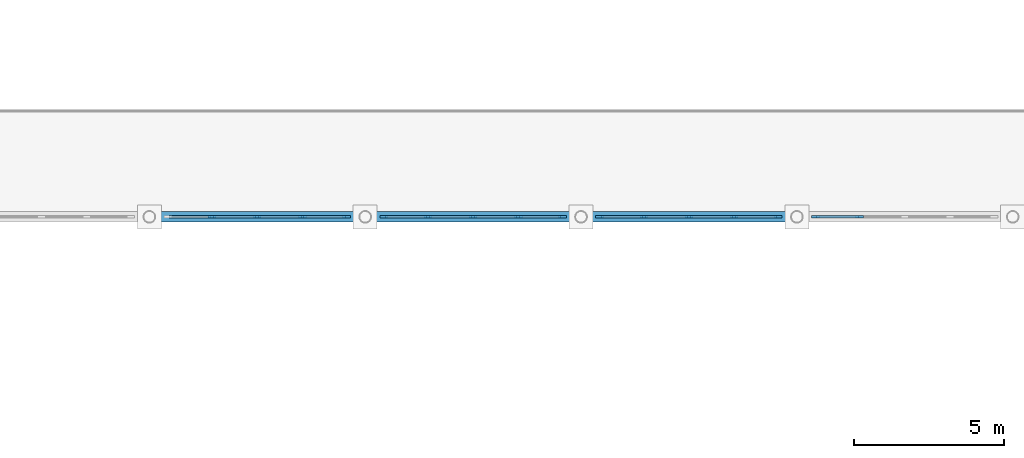
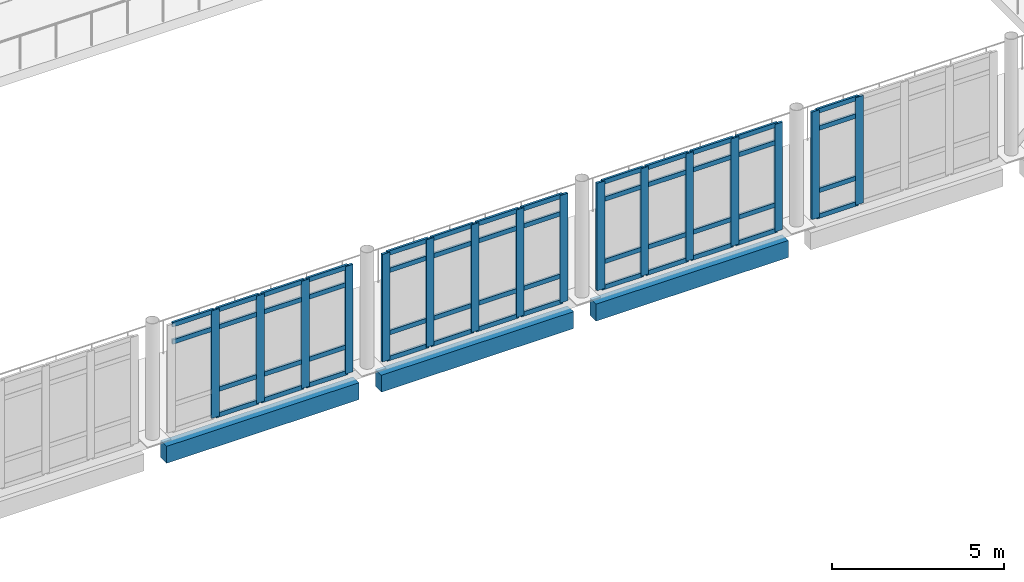
# One storey, part 17 of 62: 66 members, 3 beams, 4 elements without a shape of their own.
"""IFC4 building model written with IfcOpenShell, lengths in metres."""

import ifcopenshell
import ifcopenshell.guid

model = None  # the IFC model being written
_history = None  # IfcOwnerHistory: only IFC2X3 demands one
_inside = {}  # id of a spatial element -> (the spatial element, [elements in it])
_under = {}  # id of a project, library or spatial element -> (it, [spatial elements below it])
_declared = {}  # id of a project -> (the project, [libraries it declares])
_typed = {}  # id of a type object -> (the type object, [elements of that type])
_made_of = {}  # id of a material, layer set ... -> (it, [elements and type objects made of it])


def new_model(schema):
    """Start an empty IFC model of exactly this schema.

    Asked for "IFC4X3", IfcOpenShell would pick the latest addendum, in which some entities
    have other attributes; the version numbers below select the first issue.
    IFC2X3 requires an IfcOwnerHistory on every rooted entity: one is made here for all.
    """
    global model, _history
    if schema == "IFC4X3":
        model = ifcopenshell.file(schema_version=(4, 3, 0, 0))
    else:
        model = ifcopenshell.file(schema=schema)
    _inside.clear()
    _under.clear()
    _declared.clear()
    _typed.clear()
    _made_of.clear()
    _history = None
    if model.schema == "IFC2X3":
        org = make("IfcOrganization", Name="unknown")
        user = make(
            "IfcPersonAndOrganization",
            ThePerson=make("IfcPerson", FamilyName="unknown"),
            TheOrganization=org,
        )
        app = make(
            "IfcApplication",
            ApplicationDeveloper=org,
            Version="unknown",
            ApplicationFullName="unknown",
            ApplicationIdentifier="unknown",
        )
        _history = make(
            "IfcOwnerHistory",
            OwningUser=user,
            OwningApplication=app,
            ChangeAction="ADDED",
            CreationDate=0,
        )
    return model


def make(cls, **values):
    """One entity of the class cls with the attributes given. An attribute that is None is left unset."""
    return model.create_entity(
        cls, **{name: value for name, value in values.items() if value is not None}
    )


def rooted(cls, **values):
    """An entity with a GlobalId (a new one), such as an element, a storey or a relation."""
    return make(cls, GlobalId=ifcopenshell.guid.new(), OwnerHistory=_history, **values)


def si_unit(unit_type, name, prefix=None):
    """IfcSIUnit, for example si_unit("LENGTHUNIT", "METRE", prefix="MILLI")."""
    return make("IfcSIUnit", UnitType=unit_type, Prefix=prefix, Name=name)


def assignment(units):
    """IfcUnitAssignment: the units of a project."""
    return None if units is None else make("IfcUnitAssignment", Units=units)


def point(xyz):
    """IfcCartesianPoint."""
    return None if xyz is None else make("IfcCartesianPoint", Coordinates=xyz)


def direction(xyz):
    """IfcDirection."""
    return None if xyz is None else make("IfcDirection", DirectionRatios=xyz)


def frame(location, z_axis=None, x_axis=None):
    """IfcAxis2Placement3D, a coordinate frame: its origin and axes. An axis left out is left unset."""
    return make(
        "IfcAxis2Placement3D",
        Location=point(location),
        Axis=direction(z_axis),
        RefDirection=direction(x_axis),
    )


def frame_2d(location, x_axis=None):
    """IfcAxis2Placement2D, a coordinate frame in the plane: its origin and x axis."""
    return make(
        "IfcAxis2Placement2D", Location=point(location), RefDirection=direction(x_axis)
    )


def origin():
    """The frame at (0, 0, 0) with its axes left unset."""
    return frame((0.0, 0.0, 0.0))


def origin_2d():
    """The frame at (0, 0) in the plane with its x axis left unset."""
    return frame_2d((0.0, 0.0))


def place(relative_to, where):
    """IfcLocalPlacement: puts the frame where relative to a parent placement (None: the world)."""
    return make(
        "IfcLocalPlacement", PlacementRelTo=relative_to, RelativePlacement=where
    )


def context(
    kind, dimensions, precision=None, world=None, true_north=None, identifier=None
):
    """IfcGeometricRepresentationContext, for example the 3D "Model" context."""
    return make(
        "IfcGeometricRepresentationContext",
        ContextIdentifier=identifier,
        ContextType=kind,
        CoordinateSpaceDimension=dimensions,
        Precision=precision,
        WorldCoordinateSystem=world,
        TrueNorth=true_north,
    )


def subcontext(parent, identifier, kind, view, scale=None):
    """IfcGeometricRepresentationSubContext, for example "Body" below "Model"."""
    return make(
        "IfcGeometricRepresentationSubContext",
        ContextIdentifier=identifier,
        ContextType=kind,
        ParentContext=parent,
        TargetScale=scale,
        TargetView=view,
    )


def project(units=None, contexts=None):
    """IfcProject with its units and contexts."""
    return rooted(
        "IfcProject",
        Name="project",
        RepresentationContexts=contexts,
        UnitsInContext=assignment(units),
    )


def spatial(cls, under=None, at=None, **own):
    """A site, building, storey or space (cls), placed at a placement, below another one or the project."""
    s = rooted(cls, ObjectPlacement=at, **own)
    if under is not None:
        _under.setdefault(under.id(), (under, []))[1].append(s)
    return s


def profile(cls, at=None, kind="AREA", **sizes):
    """A parametric profile (cls). Its sizes go by their IFC names, for example OverallWidth=200.0."""
    return make(cls, ProfileType=kind, Position=at, **sizes)


def rectangle(**sizes):
    """IfcRectangleProfileDef."""
    return profile("IfcRectangleProfileDef", **sizes)


def extrude(swept, where, along, depth):
    """IfcExtrudedAreaSolid: the profile swept, set in the frame where, extruded along a direction by depth."""
    return make(
        "IfcExtrudedAreaSolid",
        SweptArea=swept,
        Position=where,
        ExtrudedDirection=direction(along),
        Depth=depth,
    )


def shape(context_of_items, identifier, shape_type, items):
    """IfcShapeRepresentation: the items that make up one representation, for example the "Body"."""
    return make(
        "IfcShapeRepresentation",
        ContextOfItems=context_of_items,
        RepresentationIdentifier=identifier,
        RepresentationType=shape_type,
        Items=items,
    )


def material(Name=None, Category=None):
    """IfcMaterial."""
    return make("IfcMaterial", Name=Name, Category=Category)


def layer(
    of_material, thickness, ventilated=None, Name=None, Category=None, Priority=None
):
    """IfcMaterialLayer: one layer of a wall or slab, of a material (None: an air gap)."""
    return make(
        "IfcMaterialLayer",
        Material=of_material,
        LayerThickness=thickness,
        IsVentilated=ventilated,
        Name=Name,
        Category=Category,
        Priority=Priority,
    )


def layer_set(layers, Name=None):
    """IfcMaterialLayerSet."""
    return make("IfcMaterialLayerSet", MaterialLayers=layers, LayerSetName=Name)


def material_profile(
    of_material, cross_section, Name=None, Category=None, Priority=None
):
    """IfcMaterialProfile: a cross section and its material."""
    return make(
        "IfcMaterialProfile",
        Name=Name,
        Material=of_material,
        Profile=cross_section,
        Priority=Priority,
        Category=Category,
    )


def profile_set(profiles, Name=None, composite=None):
    """IfcMaterialProfileSet."""
    return make(
        "IfcMaterialProfileSet",
        Name=Name,
        MaterialProfiles=profiles,
        CompositeProfile=composite,
    )


def made_of(thing, what):
    """Note that an element or type object is made of a material, layer set ...; save() writes the relation."""
    if what is not None:
        _made_of.setdefault(what.id(), (what, []))[1].append(thing)
    return thing


def type_object(cls, material=None, **own):
    """A type object (cls), such as IfcWallType, which elements share."""
    return made_of(rooted(cls, **own), material)


def element(
    cls,
    number,
    at=None,
    inside=None,
    cuts=None,
    type_object=None,
    material=None,
    context=None,
    identifier="Body",
    shape_type=None,
    held_by="IfcProductDefinitionShape",
    body=None,
    shapes=None,
    **own,
):
    """One element of the class cls, such as IfcWall. Its Tag is "e" and its number.

    at: its placement. inside: the storey or other place that contains it. cuts: it is an
    opening in that element (IfcRelVoidsElement). A single representation is given by context,
    identifier, shape_type and body (its items); several are given by shapes. held_by: the class
    of the entity that holds the representations. save() writes the other relations.
    """
    e = rooted(cls, Tag="e%d" % number, ObjectPlacement=at, **own)
    if body is not None:
        shapes = [shape(context, identifier, shape_type, body)]
    if shapes is not None:
        e.Representation = make(held_by, Representations=shapes)
    if inside is not None:
        _inside.setdefault(inside.id(), (inside, []))[1].append(e)
    if cuts is not None:
        rooted(
            "IfcRelVoidsElement", RelatingBuildingElement=cuts, RelatedOpeningElement=e
        )
    if type_object is not None:
        _typed.setdefault(type_object.id(), (type_object, []))[1].append(e)
    return made_of(e, material)


def aggregate(whole, parts):
    """IfcRelAggregates: a whole, such as a stair, and the parts it consists of."""
    return rooted("IfcRelAggregates", RelatingObject=whole, RelatedObjects=parts)


def save(model, path):
    """Write the relations noted so far, then the file.

    IfcRelAggregates (storeys below a building ...), IfcRelContainedInSpatialStructure (elements
    in a storey), IfcRelDefinesByType, IfcRelAssociatesMaterial and IfcRelDeclares: one each for
    every whole, place, type object, material and project.
    """
    for whole, parts in _under.values():
        aggregate(whole, parts)
    for where, things in _inside.values():
        rooted(
            "IfcRelContainedInSpatialStructure",
            RelatedElements=things,
            RelatingStructure=where,
        )
    for kind, things in _typed.values():
        rooted("IfcRelDefinesByType", RelatedObjects=things, RelatingType=kind)
    for what, things in _made_of.values():
        rooted("IfcRelAssociatesMaterial", RelatedObjects=things, RelatingMaterial=what)
    for by, libraries in _declared.values():
        rooted("IfcRelDeclares", RelatingContext=by, RelatedDefinitions=libraries)
    model.write(path)


model = new_model("IFC4")

# Units and contexts
model_context = context("Model", 3, precision=1e-05, world=origin(), true_north=direction((0.0, 1.0)))
body_context = subcontext(model_context, "Body", "Model", "MODEL_VIEW")
ifc_project = project(units=[si_unit("LENGTHUNIT", "METRE"), si_unit("AREAUNIT", "SQUARE_METRE"), si_unit("VOLUMEUNIT", "CUBIC_METRE"), si_unit("PLANEANGLEUNIT", "RADIAN"), si_unit("MASSUNIT", "GRAM", prefix="KILO")], contexts=[model_context])

# Site, building, storey
site_placement = place(None, origin())
site = spatial("IfcSite", under=ifc_project, at=site_placement, CompositionType="ELEMENT")
building_placement = place(site_placement, origin())
building = spatial("IfcBuilding", under=site, at=building_placement, Name="Valkovuoma Quantum and Materials Research Institute", CompositionType="ELEMENT")
storey_placement = place(building_placement, frame((0.0, 0.0, 8.9599609375)))
storey = spatial("IfcBuildingStorey", under=building, at=storey_placement, Name="L02", CompositionType="ELEMENT", Elevation=8.9599609375)

# Beams
ifc_material_1 = material(Name="Concrete C40/50", Category="concrete")
ifc_material_profile_1 = material_profile(ifc_material_1, rectangle(XDim=0.35009765625, YDim=0.60009765625, at=origin_2d()), Name="Concrete C40/50")
ifc_profile_set_1 = profile_set([ifc_material_profile_1], Name="Concrete C40/50")
beam_type = type_object("IfcBeamType", Name="Beam-B-SPN600", PredefinedType="SPANDREL", material=ifc_profile_set_1)
for number, where, z_axis, x_axis, name in (
    (1, (65.175048828125, 36.0, -0.64990234375), (1.0, 0.0, 0.0), (0.0, 1.0, 0.0), "L02 beam X-1008"),
    (2, (72.375, 36.0, -0.64990234375), (1.0, 0.0, 0.0), (0.0, 1.0, 0.0), "L02 beam X-1009"),
    (3, (79.574951171875, 36.0, -0.64990234375), (1.0, 0.0, 0.0), (0.0, 1.0, 0.0), "L02 beam X-1010"),
):
    element("IfcBeam", number, at=place(storey_placement, frame(where, z_axis=z_axis, x_axis=x_axis)), inside=storey, type_object=beam_type, Name=name, PredefinedType="SPANDREL", context=body_context, shape_type="SweptSolid", body=[
        extrude(rectangle(XDim=0.35009765625, YDim=0.60009765625, at=origin_2d()), origin(), (0.0, 0.0, 1.0), 6.449951171875),
    ])

# Curtain wall, members
ifc_material_2 = material(Name="Thermally broken aluminium and triple low-E glazing", Category="aluminium")
ifc_layer = layer(ifc_material_2, 0.219970703125)
ifc_layer_set = layer_set([ifc_layer], Name="Thermally broken aluminium and triple low-E glazing")
curtain_wall_type = type_object("IfcCurtainWallType", Name="CW-CW-02", PredefinedType="NOTDEFINED", material=ifc_layer_set)
curtain_wall_1_placement = place(storey_placement, origin())
curtain_wall_1 = element("IfcCurtainWall", 4, at=curtain_wall_1_placement, inside=storey, type_object=curtain_wall_type, Name="L02 curtain wall 186", PredefinedType="NOTDEFINED")
ifc_material_3 = material(Name="Anodised aluminium 6060-T66", Category="aluminium")
ifc_material_profile_2 = material_profile(ifc_material_3, rectangle(XDim=0.080078125, YDim=0.260009765625, at=origin_2d()), Name="Anodised aluminium 6060-T66")
ifc_profile_set_2 = profile_set([ifc_material_profile_2], Name="Anodised aluminium 6060-T66")
member_type_1 = type_object("IfcMemberType", Name="CWMull-CWM-03", PredefinedType="MULLION", material=ifc_profile_set_2)
member_1_placement = place(storey_placement, frame((66.889892578125, 36.0, 0.0), z_axis=(0.0, 0.0, 1.0), x_axis=(0.0, 1.0, 0.0)))
member_1 = element("IfcMember", 5, at=member_1_placement, type_object=member_type_1, Name="CW-02 mullion 2", PredefinedType="MULLION", context=body_context, shape_type="SweptSolid", body=[
    extrude(rectangle(XDim=0.080078125, YDim=0.260009765625, at=origin_2d()), origin(), (0.0, 0.0, 1.0), 3.81005859375),
])
member_2_placement = place(storey_placement, frame((68.39990234375, 36.0, 0.0), z_axis=(0.0, 0.0, 1.0), x_axis=(0.0, 1.0, 0.0)))
member_2 = element("IfcMember", 6, at=member_2_placement, type_object=member_type_1, Name="CW-02 mullion 3", PredefinedType="MULLION", context=body_context, shape_type="SweptSolid", body=[
    extrude(rectangle(XDim=0.080078125, YDim=0.260009765625, at=origin_2d()), origin(), (0.0, 0.0, 1.0), 3.81005859375),
])
member_3_placement = place(storey_placement, frame((69.909912109375, 36.0, 0.0), z_axis=(0.0, 0.0, 1.0), x_axis=(0.0, 1.0, 0.0)))
member_3 = element("IfcMember", 7, at=member_3_placement, type_object=member_type_1, Name="CW-02 mullion 4", PredefinedType="MULLION", context=body_context, shape_type="SweptSolid", body=[
    extrude(rectangle(XDim=0.080078125, YDim=0.260009765625, at=origin_2d()), origin(), (0.0, 0.0, 1.0), 3.81005859375),
])
member_4_placement = place(storey_placement, frame((71.3798828125, 36.0, 0.0), z_axis=(0.0, 0.0, 1.0), x_axis=(0.0, 1.0, 0.0)))
member_4 = element("IfcMember", 8, at=member_4_placement, type_object=member_type_1, Name="CW-02 mullion 5", PredefinedType="MULLION", context=body_context, shape_type="SweptSolid", body=[
    extrude(rectangle(XDim=0.080078125, YDim=0.260009765625, at=origin_2d()), origin(), (0.0, 0.0, 1.0), 3.81005859375),
])

curtain_wall_2_placement = place(storey_placement, origin())
curtain_wall_2 = element("IfcCurtainWall", 9, at=curtain_wall_2_placement, inside=storey, type_object=curtain_wall_type, Name="L02 curtain wall 187", PredefinedType="NOTDEFINED")
member_5_placement = place(storey_placement, frame((72.6201171875, 36.0, 0.0), z_axis=(0.0, 0.0, 1.0), x_axis=(0.0, 1.0, 0.0)))
member_5 = element("IfcMember", 10, at=member_5_placement, type_object=member_type_1, Name="CW-02 mullion 1", PredefinedType="MULLION", context=body_context, shape_type="SweptSolid", body=[
    extrude(rectangle(XDim=0.080078125, YDim=0.260009765625, at=origin_2d()), origin(), (0.0, 0.0, 1.0), 3.81005859375),
])
member_6_placement = place(storey_placement, frame((74.090087890625, 36.0, 0.0), z_axis=(0.0, 0.0, 1.0), x_axis=(0.0, 1.0, 0.0)))
member_6 = element("IfcMember", 11, at=member_6_placement, type_object=member_type_1, Name="CW-02 mullion 2", PredefinedType="MULLION", context=body_context, shape_type="SweptSolid", body=[
    extrude(rectangle(XDim=0.080078125, YDim=0.260009765625, at=origin_2d()), origin(), (0.0, 0.0, 1.0), 3.81005859375),
])
member_7_placement = place(storey_placement, frame((75.60009765625, 36.0, 0.0), z_axis=(0.0, 0.0, 1.0), x_axis=(0.0, 1.0, 0.0)))
member_7 = element("IfcMember", 12, at=member_7_placement, type_object=member_type_1, Name="CW-02 mullion 3", PredefinedType="MULLION", context=body_context, shape_type="SweptSolid", body=[
    extrude(rectangle(XDim=0.080078125, YDim=0.260009765625, at=origin_2d()), origin(), (0.0, 0.0, 1.0), 3.81005859375),
])
member_8_placement = place(storey_placement, frame((77.110107421875, 36.0, 0.0), z_axis=(0.0, 0.0, 1.0), x_axis=(0.0, 1.0, 0.0)))
member_8 = element("IfcMember", 13, at=member_8_placement, type_object=member_type_1, Name="CW-02 mullion 4", PredefinedType="MULLION", context=body_context, shape_type="SweptSolid", body=[
    extrude(rectangle(XDim=0.080078125, YDim=0.260009765625, at=origin_2d()), origin(), (0.0, 0.0, 1.0), 3.81005859375),
])
member_9_placement = place(storey_placement, frame((78.580078125, 36.0, 0.0), z_axis=(0.0, 0.0, 1.0), x_axis=(0.0, 1.0, 0.0)))
member_9 = element("IfcMember", 14, at=member_9_placement, type_object=member_type_1, Name="CW-02 mullion 5", PredefinedType="MULLION", context=body_context, shape_type="SweptSolid", body=[
    extrude(rectangle(XDim=0.080078125, YDim=0.260009765625, at=origin_2d()), origin(), (0.0, 0.0, 1.0), 3.81005859375),
])

curtain_wall_3_placement = place(storey_placement, origin())
curtain_wall_3 = element("IfcCurtainWall", 15, at=curtain_wall_3_placement, inside=storey, type_object=curtain_wall_type, Name="L02 curtain wall 188", PredefinedType="NOTDEFINED")
member_10_placement = place(storey_placement, frame((79.820068359375, 36.0, 0.0), z_axis=(0.0, 0.0, 1.0), x_axis=(0.0, 1.0, 0.0)))
member_10 = element("IfcMember", 16, at=member_10_placement, type_object=member_type_1, Name="CW-02 mullion 1", PredefinedType="MULLION", context=body_context, shape_type="SweptSolid", body=[
    extrude(rectangle(XDim=0.080078125, YDim=0.260009765625, at=origin_2d()), origin(), (0.0, 0.0, 1.0), 3.81005859375),
])
member_11_placement = place(storey_placement, frame((81.2900390625, 36.0, 0.0), z_axis=(0.0, 0.0, 1.0), x_axis=(0.0, 1.0, 0.0)))
member_11 = element("IfcMember", 17, at=member_11_placement, type_object=member_type_1, Name="CW-02 mullion 2", PredefinedType="MULLION", context=body_context, shape_type="SweptSolid", body=[
    extrude(rectangle(XDim=0.080078125, YDim=0.260009765625, at=origin_2d()), origin(), (0.0, 0.0, 1.0), 3.81005859375),
])
member_12_placement = place(storey_placement, frame((82.800048828125, 36.0, 0.0), z_axis=(0.0, 0.0, 1.0), x_axis=(0.0, 1.0, 0.0)))
member_12 = element("IfcMember", 18, at=member_12_placement, type_object=member_type_1, Name="CW-02 mullion 3", PredefinedType="MULLION", context=body_context, shape_type="SweptSolid", body=[
    extrude(rectangle(XDim=0.080078125, YDim=0.260009765625, at=origin_2d()), origin(), (0.0, 0.0, 1.0), 3.81005859375),
])
member_13_placement = place(storey_placement, frame((84.31005859375, 36.0, 0.0), z_axis=(0.0, 0.0, 1.0), x_axis=(0.0, 1.0, 0.0)))
member_13 = element("IfcMember", 19, at=member_13_placement, type_object=member_type_1, Name="CW-02 mullion 4", PredefinedType="MULLION", context=body_context, shape_type="SweptSolid", body=[
    extrude(rectangle(XDim=0.080078125, YDim=0.260009765625, at=origin_2d()), origin(), (0.0, 0.0, 1.0), 3.81005859375),
])
member_14_placement = place(storey_placement, frame((85.780029296875, 36.0, 0.0), z_axis=(0.0, 0.0, 1.0), x_axis=(0.0, 1.0, 0.0)))
member_14 = element("IfcMember", 20, at=member_14_placement, type_object=member_type_1, Name="CW-02 mullion 5", PredefinedType="MULLION", context=body_context, shape_type="SweptSolid", body=[
    extrude(rectangle(XDim=0.080078125, YDim=0.260009765625, at=origin_2d()), origin(), (0.0, 0.0, 1.0), 3.81005859375),
])

curtain_wall_4_placement = place(storey_placement, origin())
curtain_wall_4 = element("IfcCurtainWall", 21, at=curtain_wall_4_placement, inside=storey, type_object=curtain_wall_type, Name="L02 curtain wall 189", PredefinedType="NOTDEFINED")
member_15_placement = place(storey_placement, frame((87.02001953125, 36.0, 0.0), z_axis=(0.0, 0.0, 1.0), x_axis=(0.0, 1.0, 0.0)))
member_15 = element("IfcMember", 22, at=member_15_placement, type_object=member_type_1, Name="CW-02 mullion 1", PredefinedType="MULLION", context=body_context, shape_type="SweptSolid", body=[
    extrude(rectangle(XDim=0.080078125, YDim=0.260009765625, at=origin_2d()), origin(), (0.0, 0.0, 1.0), 3.81005859375),
])
member_16_placement = place(storey_placement, frame((88.489990234375, 36.0, 0.0), z_axis=(0.0, 0.0, 1.0), x_axis=(0.0, 1.0, 0.0)))
member_16 = element("IfcMember", 23, at=member_16_placement, type_object=member_type_1, Name="CW-02 mullion 2", PredefinedType="MULLION", context=body_context, shape_type="SweptSolid", body=[
    extrude(rectangle(XDim=0.080078125, YDim=0.260009765625, at=origin_2d()), origin(), (0.0, 0.0, 1.0), 3.81005859375),
])

# Member
ifc_material_4 = material(Name="Anodised aluminium 6060-T66", Category="aluminium")
ifc_material_profile_3 = material_profile(ifc_material_4, rectangle(XDim=0.074951171875, YDim=0.159912109375, at=origin_2d()), Name="Anodised aluminium 6060-T66")
ifc_profile_set_3 = profile_set([ifc_material_profile_3], Name="Anodised aluminium 6060-T66")
member_type_2 = type_object("IfcMemberType", Name="CWTran-CWT-02", PredefinedType="USERDEFINED", material=ifc_profile_set_3)
member_17_placement = place(storey_placement, frame((65.4599609375, 36.0, 3.16015625), z_axis=(1.0, 0.0, 0.0), x_axis=(0.0, 1.0, 0.0)))
member_17 = element("IfcMember", 24, at=member_17_placement, type_object=member_type_2, Name="CW-02 transom 1.3", ObjectType="TRANSOM", PredefinedType="USERDEFINED", context=body_context, shape_type="SweptSolid", body=[
    extrude(rectangle(XDim=0.074951171875, YDim=0.159912109375, at=origin_2d()), origin(), (0.0, 0.0, 1.0), 1.39013671875),
])

member_18_placement = place(storey_placement, frame((65.4599609375, 36.0, 3.7724609375), z_axis=(1.0, 0.0, 0.0), x_axis=(0.0, 1.0, 0.0)))
member_18 = element("IfcMember", 25, at=member_18_placement, type_object=member_type_2, Name="CW-02 transom 1.4", ObjectType="TRANSOM", PredefinedType="USERDEFINED", context=body_context, shape_type="SweptSolid", body=[
    extrude(rectangle(XDim=0.074951171875, YDim=0.159912109375, at=origin_2d()), origin(), (0.0, 0.0, 1.0), 1.39013671875),
])

member_19_placement = place(storey_placement, frame((66.929931640625, 36.0, 0.03759765625), z_axis=(1.0, 0.0, 0.0), x_axis=(0.0, 1.0, 0.0)))
member_19 = element("IfcMember", 26, at=member_19_placement, type_object=member_type_2, Name="CW-02 transom 2.1", ObjectType="TRANSOM", PredefinedType="USERDEFINED", context=body_context, shape_type="SweptSolid", body=[
    extrude(rectangle(XDim=0.074951171875, YDim=0.159912109375, at=origin_2d()), origin(), (0.0, 0.0, 1.0), 1.43017578125),
])

member_20_placement = place(storey_placement, frame((66.929931640625, 36.0, 0.949951171875), z_axis=(1.0, 0.0, 0.0), x_axis=(0.0, 1.0, 0.0)))
member_20 = element("IfcMember", 27, at=member_20_placement, type_object=member_type_2, Name="CW-02 transom 2.2", ObjectType="TRANSOM", PredefinedType="USERDEFINED", context=body_context, shape_type="SweptSolid", body=[
    extrude(rectangle(XDim=0.074951171875, YDim=0.159912109375, at=origin_2d()), origin(), (0.0, 0.0, 1.0), 1.43017578125),
])

member_21_placement = place(storey_placement, frame((66.929931640625, 36.0, 3.16015625), z_axis=(1.0, 0.0, 0.0), x_axis=(0.0, 1.0, 0.0)))
member_21 = element("IfcMember", 28, at=member_21_placement, type_object=member_type_2, Name="CW-02 transom 2.3", ObjectType="TRANSOM", PredefinedType="USERDEFINED", context=body_context, shape_type="SweptSolid", body=[
    extrude(rectangle(XDim=0.074951171875, YDim=0.159912109375, at=origin_2d()), origin(), (0.0, 0.0, 1.0), 1.43017578125),
])

member_22_placement = place(storey_placement, frame((66.929931640625, 36.0, 3.7724609375), z_axis=(1.0, 0.0, 0.0), x_axis=(0.0, 1.0, 0.0)))
member_22 = element("IfcMember", 29, at=member_22_placement, type_object=member_type_2, Name="CW-02 transom 2.4", ObjectType="TRANSOM", PredefinedType="USERDEFINED", context=body_context, shape_type="SweptSolid", body=[
    extrude(rectangle(XDim=0.074951171875, YDim=0.159912109375, at=origin_2d()), origin(), (0.0, 0.0, 1.0), 1.43017578125),
])

member_23_placement = place(storey_placement, frame((68.43994140625, 36.0, 0.03759765625), z_axis=(1.0, 0.0, 0.0), x_axis=(0.0, 1.0, 0.0)))
member_23 = element("IfcMember", 30, at=member_23_placement, type_object=member_type_2, Name="CW-02 transom 3.1", ObjectType="TRANSOM", PredefinedType="USERDEFINED", context=body_context, shape_type="SweptSolid", body=[
    extrude(rectangle(XDim=0.074951171875, YDim=0.159912109375, at=origin_2d()), origin(), (0.0, 0.0, 1.0), 1.43017578125),
])

member_24_placement = place(storey_placement, frame((68.43994140625, 36.0, 0.949951171875), z_axis=(1.0, 0.0, 0.0), x_axis=(0.0, 1.0, 0.0)))
member_24 = element("IfcMember", 31, at=member_24_placement, type_object=member_type_2, Name="CW-02 transom 3.2", ObjectType="TRANSOM", PredefinedType="USERDEFINED", context=body_context, shape_type="SweptSolid", body=[
    extrude(rectangle(XDim=0.074951171875, YDim=0.159912109375, at=origin_2d()), origin(), (0.0, 0.0, 1.0), 1.43017578125),
])

member_25_placement = place(storey_placement, frame((68.43994140625, 36.0, 3.16015625), z_axis=(1.0, 0.0, 0.0), x_axis=(0.0, 1.0, 0.0)))
member_25 = element("IfcMember", 32, at=member_25_placement, type_object=member_type_2, Name="CW-02 transom 3.3", ObjectType="TRANSOM", PredefinedType="USERDEFINED", context=body_context, shape_type="SweptSolid", body=[
    extrude(rectangle(XDim=0.074951171875, YDim=0.159912109375, at=origin_2d()), origin(), (0.0, 0.0, 1.0), 1.43017578125),
])

member_26_placement = place(storey_placement, frame((68.43994140625, 36.0, 3.7724609375), z_axis=(1.0, 0.0, 0.0), x_axis=(0.0, 1.0, 0.0)))
member_26 = element("IfcMember", 33, at=member_26_placement, type_object=member_type_2, Name="CW-02 transom 3.4", ObjectType="TRANSOM", PredefinedType="USERDEFINED", context=body_context, shape_type="SweptSolid", body=[
    extrude(rectangle(XDim=0.074951171875, YDim=0.159912109375, at=origin_2d()), origin(), (0.0, 0.0, 1.0), 1.43017578125),
])

member_27_placement = place(storey_placement, frame((69.949951171875, 36.0, 0.03759765625), z_axis=(1.0, 0.0, 0.0), x_axis=(0.0, 1.0, 0.0)))
member_27 = element("IfcMember", 34, at=member_27_placement, type_object=member_type_2, Name="CW-02 transom 4.1", ObjectType="TRANSOM", PredefinedType="USERDEFINED", context=body_context, shape_type="SweptSolid", body=[
    extrude(rectangle(XDim=0.074951171875, YDim=0.159912109375, at=origin_2d()), origin(), (0.0, 0.0, 1.0), 1.39013671875),
])

member_28_placement = place(storey_placement, frame((69.949951171875, 36.0, 0.949951171875), z_axis=(1.0, 0.0, 0.0), x_axis=(0.0, 1.0, 0.0)))
member_28 = element("IfcMember", 35, at=member_28_placement, type_object=member_type_2, Name="CW-02 transom 4.2", ObjectType="TRANSOM", PredefinedType="USERDEFINED", context=body_context, shape_type="SweptSolid", body=[
    extrude(rectangle(XDim=0.074951171875, YDim=0.159912109375, at=origin_2d()), origin(), (0.0, 0.0, 1.0), 1.39013671875),
])

member_29_placement = place(storey_placement, frame((69.949951171875, 36.0, 3.16015625), z_axis=(1.0, 0.0, 0.0), x_axis=(0.0, 1.0, 0.0)))
member_29 = element("IfcMember", 36, at=member_29_placement, type_object=member_type_2, Name="CW-02 transom 4.3", ObjectType="TRANSOM", PredefinedType="USERDEFINED", context=body_context, shape_type="SweptSolid", body=[
    extrude(rectangle(XDim=0.074951171875, YDim=0.159912109375, at=origin_2d()), origin(), (0.0, 0.0, 1.0), 1.39013671875),
])

member_30_placement = place(storey_placement, frame((69.949951171875, 36.0, 3.7724609375), z_axis=(1.0, 0.0, 0.0), x_axis=(0.0, 1.0, 0.0)))
member_30 = element("IfcMember", 37, at=member_30_placement, type_object=member_type_2, Name="CW-02 transom 4.4", ObjectType="TRANSOM", PredefinedType="USERDEFINED", context=body_context, shape_type="SweptSolid", body=[
    extrude(rectangle(XDim=0.074951171875, YDim=0.159912109375, at=origin_2d()), origin(), (0.0, 0.0, 1.0), 1.39013671875),
])

aggregate(curtain_wall_1, [member_1, member_2, member_3, member_4, member_17, member_18, member_19, member_20, member_21, member_22, member_23, member_24, member_25, member_26, member_27, member_28, member_29, member_30])

member_31_placement = place(storey_placement, frame((72.659912109375, 36.0, 0.03759765625), z_axis=(1.0, 0.0, 0.0), x_axis=(0.0, 1.0, 0.0)))
member_31 = element("IfcMember", 38, at=member_31_placement, type_object=member_type_2, Name="CW-02 transom 1.1", ObjectType="TRANSOM", PredefinedType="USERDEFINED", context=body_context, shape_type="SweptSolid", body=[
    extrude(rectangle(XDim=0.074951171875, YDim=0.159912109375, at=origin_2d()), origin(), (0.0, 0.0, 1.0), 1.39013671875),
])

member_32_placement = place(storey_placement, frame((72.659912109375, 36.0, 0.949951171875), z_axis=(1.0, 0.0, 0.0), x_axis=(0.0, 1.0, 0.0)))
member_32 = element("IfcMember", 39, at=member_32_placement, type_object=member_type_2, Name="CW-02 transom 1.2", ObjectType="TRANSOM", PredefinedType="USERDEFINED", context=body_context, shape_type="SweptSolid", body=[
    extrude(rectangle(XDim=0.074951171875, YDim=0.159912109375, at=origin_2d()), origin(), (0.0, 0.0, 1.0), 1.39013671875),
])

member_33_placement = place(storey_placement, frame((72.659912109375, 36.0, 3.16015625), z_axis=(1.0, 0.0, 0.0), x_axis=(0.0, 1.0, 0.0)))
member_33 = element("IfcMember", 40, at=member_33_placement, type_object=member_type_2, Name="CW-02 transom 1.3", ObjectType="TRANSOM", PredefinedType="USERDEFINED", context=body_context, shape_type="SweptSolid", body=[
    extrude(rectangle(XDim=0.074951171875, YDim=0.159912109375, at=origin_2d()), origin(), (0.0, 0.0, 1.0), 1.39013671875),
])

member_34_placement = place(storey_placement, frame((72.659912109375, 36.0, 3.7724609375), z_axis=(1.0, 0.0, 0.0), x_axis=(0.0, 1.0, 0.0)))
member_34 = element("IfcMember", 41, at=member_34_placement, type_object=member_type_2, Name="CW-02 transom 1.4", ObjectType="TRANSOM", PredefinedType="USERDEFINED", context=body_context, shape_type="SweptSolid", body=[
    extrude(rectangle(XDim=0.074951171875, YDim=0.159912109375, at=origin_2d()), origin(), (0.0, 0.0, 1.0), 1.39013671875),
])

member_35_placement = place(storey_placement, frame((74.1298828125, 36.0, 0.03759765625), z_axis=(1.0, 0.0, 0.0), x_axis=(0.0, 1.0, 0.0)))
member_35 = element("IfcMember", 42, at=member_35_placement, type_object=member_type_2, Name="CW-02 transom 2.1", ObjectType="TRANSOM", PredefinedType="USERDEFINED", context=body_context, shape_type="SweptSolid", body=[
    extrude(rectangle(XDim=0.074951171875, YDim=0.159912109375, at=origin_2d()), origin(), (0.0, 0.0, 1.0), 1.43017578125),
])

member_36_placement = place(storey_placement, frame((74.1298828125, 36.0, 0.949951171875), z_axis=(1.0, 0.0, 0.0), x_axis=(0.0, 1.0, 0.0)))
member_36 = element("IfcMember", 43, at=member_36_placement, type_object=member_type_2, Name="CW-02 transom 2.2", ObjectType="TRANSOM", PredefinedType="USERDEFINED", context=body_context, shape_type="SweptSolid", body=[
    extrude(rectangle(XDim=0.074951171875, YDim=0.159912109375, at=origin_2d()), origin(), (0.0, 0.0, 1.0), 1.43017578125),
])

member_37_placement = place(storey_placement, frame((74.1298828125, 36.0, 3.16015625), z_axis=(1.0, 0.0, 0.0), x_axis=(0.0, 1.0, 0.0)))
member_37 = element("IfcMember", 44, at=member_37_placement, type_object=member_type_2, Name="CW-02 transom 2.3", ObjectType="TRANSOM", PredefinedType="USERDEFINED", context=body_context, shape_type="SweptSolid", body=[
    extrude(rectangle(XDim=0.074951171875, YDim=0.159912109375, at=origin_2d()), origin(), (0.0, 0.0, 1.0), 1.43017578125),
])

member_38_placement = place(storey_placement, frame((74.1298828125, 36.0, 3.7724609375), z_axis=(1.0, 0.0, 0.0), x_axis=(0.0, 1.0, 0.0)))
member_38 = element("IfcMember", 45, at=member_38_placement, type_object=member_type_2, Name="CW-02 transom 2.4", ObjectType="TRANSOM", PredefinedType="USERDEFINED", context=body_context, shape_type="SweptSolid", body=[
    extrude(rectangle(XDim=0.074951171875, YDim=0.159912109375, at=origin_2d()), origin(), (0.0, 0.0, 1.0), 1.43017578125),
])

member_39_placement = place(storey_placement, frame((75.639892578125, 36.0, 0.03759765625), z_axis=(1.0, 0.0, 0.0), x_axis=(0.0, 1.0, 0.0)))
member_39 = element("IfcMember", 46, at=member_39_placement, type_object=member_type_2, Name="CW-02 transom 3.1", ObjectType="TRANSOM", PredefinedType="USERDEFINED", context=body_context, shape_type="SweptSolid", body=[
    extrude(rectangle(XDim=0.074951171875, YDim=0.159912109375, at=origin_2d()), origin(), (0.0, 0.0, 1.0), 1.43017578125),
])

member_40_placement = place(storey_placement, frame((75.639892578125, 36.0, 0.949951171875), z_axis=(1.0, 0.0, 0.0), x_axis=(0.0, 1.0, 0.0)))
member_40 = element("IfcMember", 47, at=member_40_placement, type_object=member_type_2, Name="CW-02 transom 3.2", ObjectType="TRANSOM", PredefinedType="USERDEFINED", context=body_context, shape_type="SweptSolid", body=[
    extrude(rectangle(XDim=0.074951171875, YDim=0.159912109375, at=origin_2d()), origin(), (0.0, 0.0, 1.0), 1.43017578125),
])

member_41_placement = place(storey_placement, frame((75.639892578125, 36.0, 3.16015625), z_axis=(1.0, 0.0, 0.0), x_axis=(0.0, 1.0, 0.0)))
member_41 = element("IfcMember", 48, at=member_41_placement, type_object=member_type_2, Name="CW-02 transom 3.3", ObjectType="TRANSOM", PredefinedType="USERDEFINED", context=body_context, shape_type="SweptSolid", body=[
    extrude(rectangle(XDim=0.074951171875, YDim=0.159912109375, at=origin_2d()), origin(), (0.0, 0.0, 1.0), 1.43017578125),
])

member_42_placement = place(storey_placement, frame((75.639892578125, 36.0, 3.7724609375), z_axis=(1.0, 0.0, 0.0), x_axis=(0.0, 1.0, 0.0)))
member_42 = element("IfcMember", 49, at=member_42_placement, type_object=member_type_2, Name="CW-02 transom 3.4", ObjectType="TRANSOM", PredefinedType="USERDEFINED", context=body_context, shape_type="SweptSolid", body=[
    extrude(rectangle(XDim=0.074951171875, YDim=0.159912109375, at=origin_2d()), origin(), (0.0, 0.0, 1.0), 1.43017578125),
])

member_43_placement = place(storey_placement, frame((77.14990234375, 36.0, 0.03759765625), z_axis=(1.0, 0.0, 0.0), x_axis=(0.0, 1.0, 0.0)))
member_43 = element("IfcMember", 50, at=member_43_placement, type_object=member_type_2, Name="CW-02 transom 4.1", ObjectType="TRANSOM", PredefinedType="USERDEFINED", context=body_context, shape_type="SweptSolid", body=[
    extrude(rectangle(XDim=0.074951171875, YDim=0.159912109375, at=origin_2d()), origin(), (0.0, 0.0, 1.0), 1.39013671875),
])

member_44_placement = place(storey_placement, frame((77.14990234375, 36.0, 0.949951171875), z_axis=(1.0, 0.0, 0.0), x_axis=(0.0, 1.0, 0.0)))
member_44 = element("IfcMember", 51, at=member_44_placement, type_object=member_type_2, Name="CW-02 transom 4.2", ObjectType="TRANSOM", PredefinedType="USERDEFINED", context=body_context, shape_type="SweptSolid", body=[
    extrude(rectangle(XDim=0.074951171875, YDim=0.159912109375, at=origin_2d()), origin(), (0.0, 0.0, 1.0), 1.39013671875),
])

member_45_placement = place(storey_placement, frame((77.14990234375, 36.0, 3.16015625), z_axis=(1.0, 0.0, 0.0), x_axis=(0.0, 1.0, 0.0)))
member_45 = element("IfcMember", 52, at=member_45_placement, type_object=member_type_2, Name="CW-02 transom 4.3", ObjectType="TRANSOM", PredefinedType="USERDEFINED", context=body_context, shape_type="SweptSolid", body=[
    extrude(rectangle(XDim=0.074951171875, YDim=0.159912109375, at=origin_2d()), origin(), (0.0, 0.0, 1.0), 1.39013671875),
])

member_46_placement = place(storey_placement, frame((77.14990234375, 36.0, 3.7724609375), z_axis=(1.0, 0.0, 0.0), x_axis=(0.0, 1.0, 0.0)))
member_46 = element("IfcMember", 53, at=member_46_placement, type_object=member_type_2, Name="CW-02 transom 4.4", ObjectType="TRANSOM", PredefinedType="USERDEFINED", context=body_context, shape_type="SweptSolid", body=[
    extrude(rectangle(XDim=0.074951171875, YDim=0.159912109375, at=origin_2d()), origin(), (0.0, 0.0, 1.0), 1.39013671875),
])

aggregate(curtain_wall_2, [member_5, member_6, member_7, member_8, member_9, member_31, member_32, member_33, member_34, member_35, member_36, member_37, member_38, member_39, member_40, member_41, member_42, member_43, member_44, member_45, member_46])

member_47_placement = place(storey_placement, frame((79.860107421875, 36.0, 0.03759765625), z_axis=(1.0, 0.0, 0.0), x_axis=(0.0, 1.0, 0.0)))
member_47 = element("IfcMember", 54, at=member_47_placement, type_object=member_type_2, Name="CW-02 transom 1.1", ObjectType="TRANSOM", PredefinedType="USERDEFINED", context=body_context, shape_type="SweptSolid", body=[
    extrude(rectangle(XDim=0.074951171875, YDim=0.159912109375, at=origin_2d()), origin(), (0.0, 0.0, 1.0), 1.389892578125),
])

member_48_placement = place(storey_placement, frame((79.860107421875, 36.0, 0.949951171875), z_axis=(1.0, 0.0, 0.0), x_axis=(0.0, 1.0, 0.0)))
member_48 = element("IfcMember", 55, at=member_48_placement, type_object=member_type_2, Name="CW-02 transom 1.2", ObjectType="TRANSOM", PredefinedType="USERDEFINED", context=body_context, shape_type="SweptSolid", body=[
    extrude(rectangle(XDim=0.074951171875, YDim=0.159912109375, at=origin_2d()), origin(), (0.0, 0.0, 1.0), 1.389892578125),
])

member_49_placement = place(storey_placement, frame((79.860107421875, 36.0, 3.16015625), z_axis=(1.0, 0.0, 0.0), x_axis=(0.0, 1.0, 0.0)))
member_49 = element("IfcMember", 56, at=member_49_placement, type_object=member_type_2, Name="CW-02 transom 1.3", ObjectType="TRANSOM", PredefinedType="USERDEFINED", context=body_context, shape_type="SweptSolid", body=[
    extrude(rectangle(XDim=0.074951171875, YDim=0.159912109375, at=origin_2d()), origin(), (0.0, 0.0, 1.0), 1.389892578125),
])

member_50_placement = place(storey_placement, frame((79.860107421875, 36.0, 3.7724609375), z_axis=(1.0, 0.0, 0.0), x_axis=(0.0, 1.0, 0.0)))
member_50 = element("IfcMember", 57, at=member_50_placement, type_object=member_type_2, Name="CW-02 transom 1.4", ObjectType="TRANSOM", PredefinedType="USERDEFINED", context=body_context, shape_type="SweptSolid", body=[
    extrude(rectangle(XDim=0.074951171875, YDim=0.159912109375, at=origin_2d()), origin(), (0.0, 0.0, 1.0), 1.389892578125),
])

member_51_placement = place(storey_placement, frame((81.330078125, 36.0, 0.03759765625), z_axis=(1.0, 0.0, 0.0), x_axis=(0.0, 1.0, 0.0)))
member_51 = element("IfcMember", 58, at=member_51_placement, type_object=member_type_2, Name="CW-02 transom 2.1", ObjectType="TRANSOM", PredefinedType="USERDEFINED", context=body_context, shape_type="SweptSolid", body=[
    extrude(rectangle(XDim=0.074951171875, YDim=0.159912109375, at=origin_2d()), origin(), (0.0, 0.0, 1.0), 1.429931640625),
])

member_52_placement = place(storey_placement, frame((81.330078125, 36.0, 0.949951171875), z_axis=(1.0, 0.0, 0.0), x_axis=(0.0, 1.0, 0.0)))
member_52 = element("IfcMember", 59, at=member_52_placement, type_object=member_type_2, Name="CW-02 transom 2.2", ObjectType="TRANSOM", PredefinedType="USERDEFINED", context=body_context, shape_type="SweptSolid", body=[
    extrude(rectangle(XDim=0.074951171875, YDim=0.159912109375, at=origin_2d()), origin(), (0.0, 0.0, 1.0), 1.429931640625),
])

member_53_placement = place(storey_placement, frame((81.330078125, 36.0, 3.16015625), z_axis=(1.0, 0.0, 0.0), x_axis=(0.0, 1.0, 0.0)))
member_53 = element("IfcMember", 60, at=member_53_placement, type_object=member_type_2, Name="CW-02 transom 2.3", ObjectType="TRANSOM", PredefinedType="USERDEFINED", context=body_context, shape_type="SweptSolid", body=[
    extrude(rectangle(XDim=0.074951171875, YDim=0.159912109375, at=origin_2d()), origin(), (0.0, 0.0, 1.0), 1.429931640625),
])

member_54_placement = place(storey_placement, frame((81.330078125, 36.0, 3.7724609375), z_axis=(1.0, 0.0, 0.0), x_axis=(0.0, 1.0, 0.0)))
member_54 = element("IfcMember", 61, at=member_54_placement, type_object=member_type_2, Name="CW-02 transom 2.4", ObjectType="TRANSOM", PredefinedType="USERDEFINED", context=body_context, shape_type="SweptSolid", body=[
    extrude(rectangle(XDim=0.074951171875, YDim=0.159912109375, at=origin_2d()), origin(), (0.0, 0.0, 1.0), 1.429931640625),
])

member_55_placement = place(storey_placement, frame((82.840087890625, 36.0, 0.03759765625), z_axis=(1.0, 0.0, 0.0), x_axis=(0.0, 1.0, 0.0)))
member_55 = element("IfcMember", 62, at=member_55_placement, type_object=member_type_2, Name="CW-02 transom 3.1", ObjectType="TRANSOM", PredefinedType="USERDEFINED", context=body_context, shape_type="SweptSolid", body=[
    extrude(rectangle(XDim=0.074951171875, YDim=0.159912109375, at=origin_2d()), origin(), (0.0, 0.0, 1.0), 1.429931640625),
])

member_56_placement = place(storey_placement, frame((82.840087890625, 36.0, 0.949951171875), z_axis=(1.0, 0.0, 0.0), x_axis=(0.0, 1.0, 0.0)))
member_56 = element("IfcMember", 63, at=member_56_placement, type_object=member_type_2, Name="CW-02 transom 3.2", ObjectType="TRANSOM", PredefinedType="USERDEFINED", context=body_context, shape_type="SweptSolid", body=[
    extrude(rectangle(XDim=0.074951171875, YDim=0.159912109375, at=origin_2d()), origin(), (0.0, 0.0, 1.0), 1.429931640625),
])

member_57_placement = place(storey_placement, frame((82.840087890625, 36.0, 3.16015625), z_axis=(1.0, 0.0, 0.0), x_axis=(0.0, 1.0, 0.0)))
member_57 = element("IfcMember", 64, at=member_57_placement, type_object=member_type_2, Name="CW-02 transom 3.3", ObjectType="TRANSOM", PredefinedType="USERDEFINED", context=body_context, shape_type="SweptSolid", body=[
    extrude(rectangle(XDim=0.074951171875, YDim=0.159912109375, at=origin_2d()), origin(), (0.0, 0.0, 1.0), 1.429931640625),
])

member_58_placement = place(storey_placement, frame((82.840087890625, 36.0, 3.7724609375), z_axis=(1.0, 0.0, 0.0), x_axis=(0.0, 1.0, 0.0)))
member_58 = element("IfcMember", 65, at=member_58_placement, type_object=member_type_2, Name="CW-02 transom 3.4", ObjectType="TRANSOM", PredefinedType="USERDEFINED", context=body_context, shape_type="SweptSolid", body=[
    extrude(rectangle(XDim=0.074951171875, YDim=0.159912109375, at=origin_2d()), origin(), (0.0, 0.0, 1.0), 1.429931640625),
])

member_59_placement = place(storey_placement, frame((84.35009765625, 36.0, 0.03759765625), z_axis=(1.0, 0.0, 0.0), x_axis=(0.0, 1.0, 0.0)))
member_59 = element("IfcMember", 66, at=member_59_placement, type_object=member_type_2, Name="CW-02 transom 4.1", ObjectType="TRANSOM", PredefinedType="USERDEFINED", context=body_context, shape_type="SweptSolid", body=[
    extrude(rectangle(XDim=0.074951171875, YDim=0.159912109375, at=origin_2d()), origin(), (0.0, 0.0, 1.0), 1.389892578125),
])

member_60_placement = place(storey_placement, frame((84.35009765625, 36.0, 0.949951171875), z_axis=(1.0, 0.0, 0.0), x_axis=(0.0, 1.0, 0.0)))
member_60 = element("IfcMember", 67, at=member_60_placement, type_object=member_type_2, Name="CW-02 transom 4.2", ObjectType="TRANSOM", PredefinedType="USERDEFINED", context=body_context, shape_type="SweptSolid", body=[
    extrude(rectangle(XDim=0.074951171875, YDim=0.159912109375, at=origin_2d()), origin(), (0.0, 0.0, 1.0), 1.389892578125),
])

member_61_placement = place(storey_placement, frame((84.35009765625, 36.0, 3.16015625), z_axis=(1.0, 0.0, 0.0), x_axis=(0.0, 1.0, 0.0)))
member_61 = element("IfcMember", 68, at=member_61_placement, type_object=member_type_2, Name="CW-02 transom 4.3", ObjectType="TRANSOM", PredefinedType="USERDEFINED", context=body_context, shape_type="SweptSolid", body=[
    extrude(rectangle(XDim=0.074951171875, YDim=0.159912109375, at=origin_2d()), origin(), (0.0, 0.0, 1.0), 1.389892578125),
])

member_62_placement = place(storey_placement, frame((84.35009765625, 36.0, 3.7724609375), z_axis=(1.0, 0.0, 0.0), x_axis=(0.0, 1.0, 0.0)))
member_62 = element("IfcMember", 69, at=member_62_placement, type_object=member_type_2, Name="CW-02 transom 4.4", ObjectType="TRANSOM", PredefinedType="USERDEFINED", context=body_context, shape_type="SweptSolid", body=[
    extrude(rectangle(XDim=0.074951171875, YDim=0.159912109375, at=origin_2d()), origin(), (0.0, 0.0, 1.0), 1.389892578125),
])

aggregate(curtain_wall_3, [member_10, member_11, member_12, member_13, member_14, member_47, member_48, member_49, member_50, member_51, member_52, member_53, member_54, member_55, member_56, member_57, member_58, member_59, member_60, member_61, member_62])

member_63_placement = place(storey_placement, frame((87.06005859375, 36.0, 0.03759765625), z_axis=(1.0, 0.0, 0.0), x_axis=(0.0, 1.0, 0.0)))
member_63 = element("IfcMember", 70, at=member_63_placement, type_object=member_type_2, Name="CW-02 transom 1.1", ObjectType="TRANSOM", PredefinedType="USERDEFINED", context=body_context, shape_type="SweptSolid", body=[
    extrude(rectangle(XDim=0.074951171875, YDim=0.159912109375, at=origin_2d()), origin(), (0.0, 0.0, 1.0), 1.389892578125),
])

member_64_placement = place(storey_placement, frame((87.06005859375, 36.0, 0.949951171875), z_axis=(1.0, 0.0, 0.0), x_axis=(0.0, 1.0, 0.0)))
member_64 = element("IfcMember", 71, at=member_64_placement, type_object=member_type_2, Name="CW-02 transom 1.2", ObjectType="TRANSOM", PredefinedType="USERDEFINED", context=body_context, shape_type="SweptSolid", body=[
    extrude(rectangle(XDim=0.074951171875, YDim=0.159912109375, at=origin_2d()), origin(), (0.0, 0.0, 1.0), 1.389892578125),
])

member_65_placement = place(storey_placement, frame((87.06005859375, 36.0, 3.16015625), z_axis=(1.0, 0.0, 0.0), x_axis=(0.0, 1.0, 0.0)))
member_65 = element("IfcMember", 72, at=member_65_placement, type_object=member_type_2, Name="CW-02 transom 1.3", ObjectType="TRANSOM", PredefinedType="USERDEFINED", context=body_context, shape_type="SweptSolid", body=[
    extrude(rectangle(XDim=0.074951171875, YDim=0.159912109375, at=origin_2d()), origin(), (0.0, 0.0, 1.0), 1.389892578125),
])

member_66_placement = place(storey_placement, frame((87.06005859375, 36.0, 3.7724609375), z_axis=(1.0, 0.0, 0.0), x_axis=(0.0, 1.0, 0.0)))
member_66 = element("IfcMember", 73, at=member_66_placement, type_object=member_type_2, Name="CW-02 transom 1.4", ObjectType="TRANSOM", PredefinedType="USERDEFINED", context=body_context, shape_type="SweptSolid", body=[
    extrude(rectangle(XDim=0.074951171875, YDim=0.159912109375, at=origin_2d()), origin(), (0.0, 0.0, 1.0), 1.389892578125),
])

aggregate(curtain_wall_4, [member_15, member_16, member_63, member_64, member_65, member_66])

save(model, "model.ifc")
